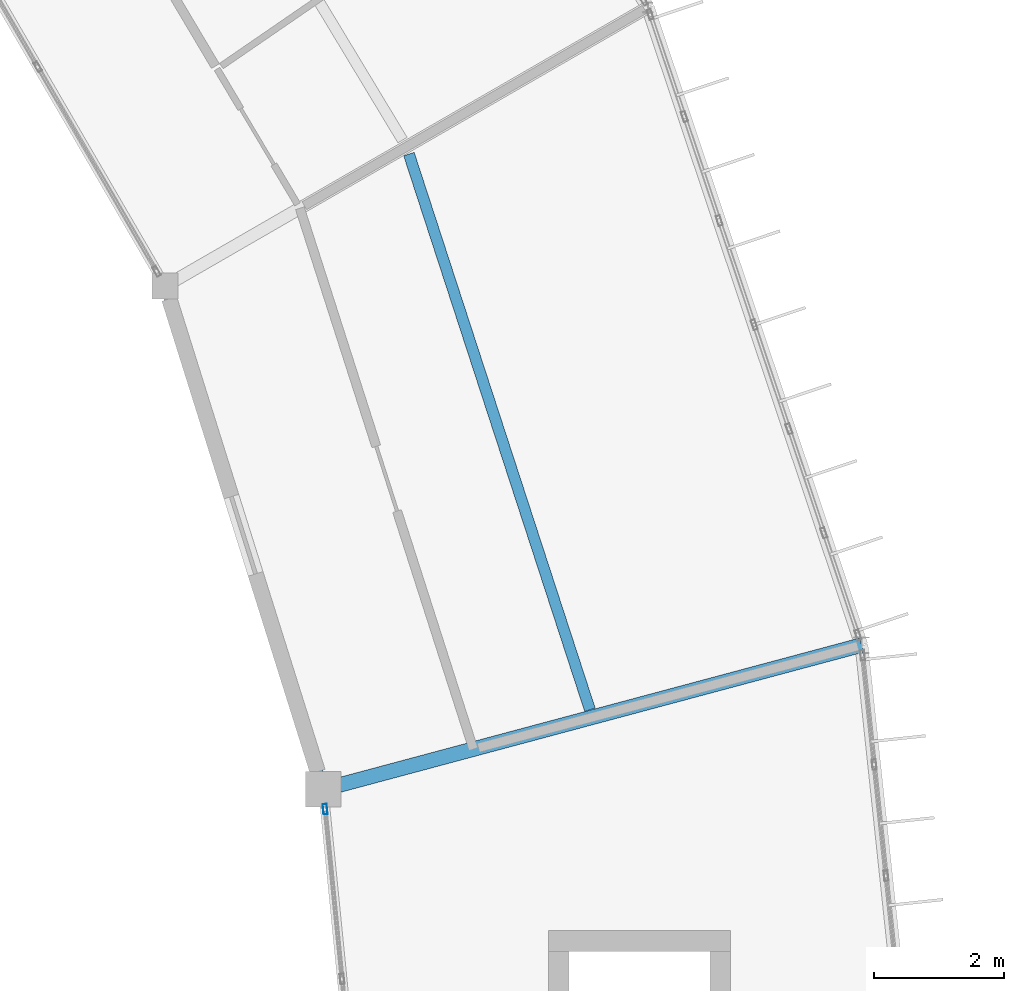
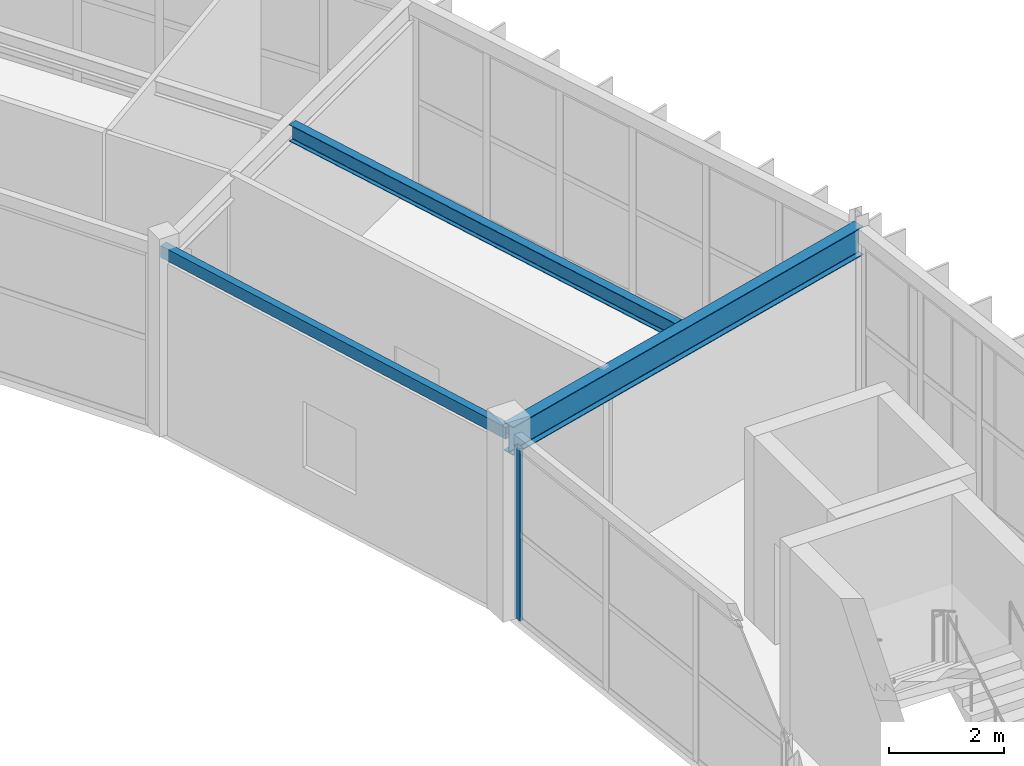
# One storey, part 73 of 157: 3 beams, 1 member, 1 element without a shape of its own.
"""IFC4 building model written with IfcOpenShell, lengths in metres."""

from ifc_helpers import new_model, si_unit, direction, frame, origin, origin_2d, place, context, subcontext, project, spatial, hollow_rectangle, i_section, extrude, material, material_profile, profile_set, type_object, element, aggregate, save


model = new_model("IFC4")

# Units and contexts
model_context = context("Model", 3, precision=1e-05, world=origin(), true_north=direction((0.0, 1.0)))
body_context = subcontext(model_context, "Body", "Model", "MODEL_VIEW")
ifc_project = project(units=[si_unit("LENGTHUNIT", "METRE"), si_unit("AREAUNIT", "SQUARE_METRE"), si_unit("VOLUMEUNIT", "CUBIC_METRE"), si_unit("PLANEANGLEUNIT", "RADIAN"), si_unit("MASSUNIT", "GRAM", prefix="KILO")], contexts=[model_context])

# Site, building, storey
site_placement = place(None, origin())
site = spatial("IfcSite", under=ifc_project, at=site_placement, CompositionType="ELEMENT")
building_placement = place(site_placement, origin())
building = spatial("IfcBuilding", under=site, at=building_placement, Name="Karori Crest Natural Sciences Institute", CompositionType="ELEMENT")
storey_placement = place(building_placement, frame((0.0, 0.0, 13.300048828125)))
storey = spatial("IfcBuildingStorey", under=building, at=storey_placement, Name="L03", CompositionType="ELEMENT", Elevation=13.300048828125)

# Beams
ifc_material_1 = material(Name="Hollow structural steel AS/NZS 1163 Grade C350", Category="steel")
ifc_material_profile_1 = material_profile(ifc_material_1, hollow_rectangle(XDim=0.14990234375, YDim=0.25, WallThickness=0.009033203125, at=origin_2d()), Name="RHS250x150x9")
ifc_profile_set_1 = profile_set([ifc_material_profile_1], Name="Hollow structural steel AS/NZS 1163 Grade C350")
beam_type_1 = type_object("IfcBeamType", Name="BT-16", PredefinedType="SPANDREL", material=ifc_profile_set_1)
beam_1_placement = place(storey_placement, frame((89.968505859375, 58.23388671875, 3.7900390625), z_axis=(-0.299460006143, 0.954108853706, 0.0), x_axis=(-0.954108853706, -0.299460006143, 0.0)))
element("IfcBeam", 1, at=beam_1_placement, inside=storey, type_object=beam_type_1, Name="Beam B-0364", PredefinedType="SPANDREL", context=body_context, shape_type="SweptSolid", body=[
    extrude(hollow_rectangle(XDim=0.14990234375, YDim=0.25, WallThickness=0.009033203125, at=origin_2d()), origin(), (0.0, 0.0, 1.0), 8.1396484375),
])
ifc_material_2 = material(Name="Structural steel AS/NZS 3679.1 Grade 350", Category="steel")
ifc_material_profile_2 = material_profile(ifc_material_2, i_section(OverallWidth=0.22802734375, OverallDepth=0.60205078125, WebThickness=0.010498046875, FlangeThickness=0.014892578125, FilletRadius=0.013916015625, at=origin_2d()), Name="610UB101")
ifc_profile_set_2 = profile_set([ifc_material_profile_2], Name="Structural steel AS/NZS 3679.1 Grade 350")
beam_type_2 = type_object("IfcBeamType", Name="BT-27", PredefinedType="BEAM", material=ifc_profile_set_2)
beam_2_placement = place(storey_placement, frame((89.968505859375, 58.23388671875, 3.638916015625), z_axis=(0.96592752402, 0.258812709002, 0.0), x_axis=(-0.258812709002, 0.96592752402, 0.0)))
element("IfcBeam", 2, at=beam_2_placement, inside=storey, type_object=beam_type_2, Name="Beam B-0365", PredefinedType="BEAM", context=body_context, shape_type="SweptSolid", body=[
    extrude(i_section(OverallWidth=0.22802734375, OverallDepth=0.60205078125, WebThickness=0.010498046875, FlangeThickness=0.014892578125, FilletRadius=0.013916015625, at=origin_2d()), origin(), (0.0, 0.0, 1.0), 8.60009765625),
])
ifc_material_profile_3 = material_profile(ifc_material_2, i_section(OverallWidth=0.1708984375, OverallDepth=0.35595703125, WebThickness=0.00732421875, FlangeThickness=0.011474609375, FilletRadius=0.010986328125, at=origin_2d()), Name="360UB50.7")
ifc_profile_set_3 = profile_set([ifc_material_profile_3], Name="Structural steel AS/NZS 3679.1 Grade 350")
beam_type_3 = type_object("IfcBeamType", Name="BT-30", PredefinedType="BEAM", material=ifc_profile_set_3)
beam_3_placement = place(storey_placement, frame((94.0849609375, 59.4609375, 3.761962890625), z_axis=(-0.309698753032, 0.950834729262, 0.0), x_axis=(-0.950834729262, -0.309698753032, 0.0)))
element("IfcBeam", 3, at=beam_3_placement, inside=storey, type_object=beam_type_3, Name="Beam B-0366", PredefinedType="BEAM", context=body_context, shape_type="SweptSolid", body=[
    extrude(i_section(OverallWidth=0.1708984375, OverallDepth=0.35595703125, WebThickness=0.00732421875, FlangeThickness=0.011474609375, FilletRadius=0.010986328125, at=origin_2d()), origin(), (0.0, 0.0, 1.0), 9.018310546875),
])

# Curtain wall, member
ifc_material_3 = material(Name="Anodised architectural aluminium 6063-T6", Category="aluminium")
curtain_wall_type = type_object("IfcCurtainWallType", Name="CWT-11", PredefinedType="NOTDEFINED", material=ifc_material_3)
curtain_wall_placement = place(storey_placement, origin())
curtain_wall = element("IfcCurtainWall", 4, at=curtain_wall_placement, inside=storey, type_object=curtain_wall_type, Name="Curtain wall CW-0101", PredefinedType="NOTDEFINED")
ifc_material_profile_4 = material_profile(ifc_material_3, hollow_rectangle(XDim=0.06494140625, YDim=0.159912109375, WallThickness=0.00390625, at=origin_2d()), Name="CWM160x65x4")
ifc_profile_set_4 = profile_set([ifc_material_profile_4], Name="Anodised architectural aluminium 6063-T6")
member_type = type_object("IfcMemberType", Name="CWM-01", PredefinedType="MULLION", material=ifc_profile_set_4)
member_placement = place(storey_placement, frame((89.9990234375, 57.9287109375, 0.0), z_axis=(0.0, 0.0, 1.0), x_axis=(-0.995060684604, -0.099268494275, 0.0)))
member = element("IfcMember", 5, at=member_placement, type_object=member_type, Name="CW-0101 mullion 4", PredefinedType="MULLION", context=body_context, shape_type="SweptSolid", body=[
    extrude(hollow_rectangle(XDim=0.06494140625, YDim=0.159912109375, WallThickness=0.00390625, at=origin_2d()), origin(), (0.0, 0.0, 1.0), 3.64990234375),
])
aggregate(curtain_wall, [member])

save(model, "model.ifc")
